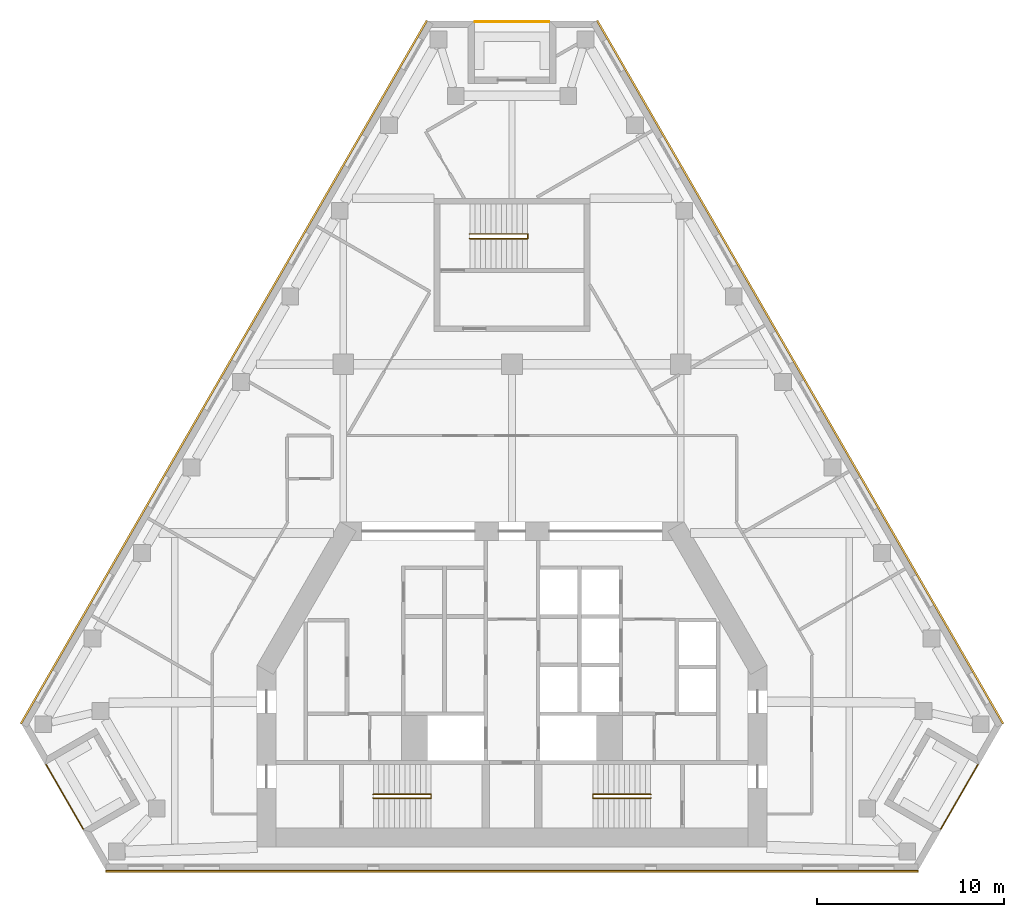
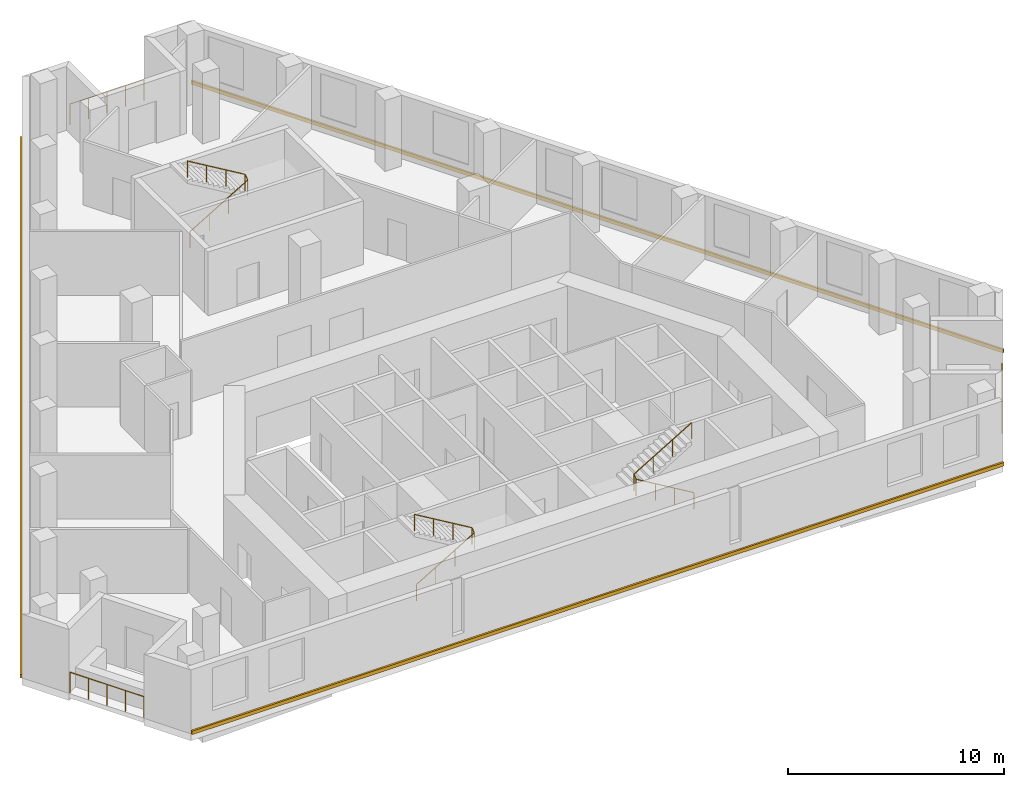
# One storey, part 7 of 7: 6 railings, 3 coverings.
"""IFC4 building model written with IfcOpenShell, lengths in metres."""

from ifc_helpers import new_model, si_unit, direction, frame, origin, origin_2d, place, context, subcontext, project, spatial, polyline, circle, outline, extrude, material, type_object, element, save


model = new_model("IFC4")

# Units and contexts
model_context = context("Model", 3, precision=1e-05, world=origin(), true_north=direction((0.0, 1.0)))
body_context = subcontext(model_context, "Body", "Model", "MODEL_VIEW")
ifc_project = project(units=[si_unit("LENGTHUNIT", "METRE"), si_unit("AREAUNIT", "SQUARE_METRE"), si_unit("VOLUMEUNIT", "CUBIC_METRE"), si_unit("PLANEANGLEUNIT", "RADIAN"), si_unit("MASSUNIT", "GRAM", prefix="KILO")], contexts=[model_context])

# Site, building, storey
site_placement = place(None, origin())
site = spatial("IfcSite", under=ifc_project, at=site_placement, CompositionType="ELEMENT")
building_placement = place(site_placement, origin())
building = spatial("IfcBuilding", under=site, at=building_placement, Name="Fogline Exchange Tower", CompositionType="ELEMENT")
storey_placement = place(building_placement, frame((0.0, 0.0, 247.5)))
storey = spatial("IfcBuildingStorey", under=building, at=storey_placement, Name="L56", CompositionType="ELEMENT", Elevation=247.5)

# Railings
ifc_material_1 = material(Name="Stainless steel 304", Category="steel")
railing_type_1 = type_object("IfcRailingType", Name="G1", PredefinedType="GUARDRAIL", material=ifc_material_1)
railing_1_placement = place(storey_placement, frame((-24.865478515625, 5.635986328125, 0.0)))
element("IfcRailing", 1, at=railing_1_placement, inside=storey, type_object=railing_type_1, Name="Balcony guard L56 SW", PredefinedType="GUARDRAIL", context=body_context, shape_type="SweptSolid", body=[
    extrude(circle(Radius=0.02392578125, at=origin_2d()), frame((0.0, 0.0, 1.17578125), z_axis=(0.499953838557, -0.866052053466, 0.0), x_axis=(0.866052053466, 0.499953838557, 0.0)), (0.0, 0.0, 1.0), 3.957763671875),
    extrude(circle(Radius=0.02099609375, at=origin_2d()), origin(), (0.0, 0.0, 1.0), 1.15185546875),
    extrude(circle(Radius=0.02099609375, at=origin_2d()), frame((0.49462890625, -0.85693359375, 0.0)), (0.0, 0.0, 1.0), 1.15185546875),
    extrude(circle(Radius=0.02099609375, at=origin_2d()), frame((0.9892578125, -1.7138671875, 0.0)), (0.0, 0.0, 1.0), 1.15185546875),
    extrude(circle(Radius=0.02099609375, at=origin_2d()), frame((1.484130859375, -2.57080078125, 0.0)), (0.0, 0.0, 1.0), 1.15185546875),
    extrude(circle(Radius=0.02099609375, at=origin_2d()), frame((1.978759765625, -3.427734375, 0.0)), (0.0, 0.0, 1.0), 1.15185546875),
])
railing_2_placement = place(storey_placement, frame((22.88671875, 2.208251953125, 0.0)))
element("IfcRailing", 2, at=railing_2_placement, inside=storey, type_object=railing_type_1, Name="Balcony guard L56 SE", PredefinedType="GUARDRAIL", context=body_context, shape_type="SweptSolid", body=[
    extrude(circle(Radius=0.02392578125, at=origin_2d()), frame((0.0, 0.0, 1.17578125), z_axis=(0.499953838557, 0.866052053466, 0.0), x_axis=(-0.866052053466, 0.499953838557, 0.0)), (0.0, 0.0, 1.0), 3.957763671875),
    extrude(circle(Radius=0.02099609375, at=origin_2d()), origin(), (0.0, 0.0, 1.0), 1.15185546875),
    extrude(circle(Radius=0.02099609375, at=origin_2d()), frame((0.49462890625, 0.85693359375, 0.0)), (0.0, 0.0, 1.0), 1.15185546875),
    extrude(circle(Radius=0.02099609375, at=origin_2d()), frame((0.9892578125, 1.7138671875, 0.0)), (0.0, 0.0, 1.0), 1.15185546875),
    extrude(circle(Radius=0.02099609375, at=origin_2d()), frame((1.484130859375, 2.57080078125, 0.0)), (0.0, 0.0, 1.0), 1.15185546875),
    extrude(circle(Radius=0.02099609375, at=origin_2d()), frame((1.978759765625, 3.427734375, 0.0)), (0.0, 0.0, 1.0), 1.15185546875),
])
railing_3_placement = place(storey_placement, frame((1.97900390625, 45.276611328125, 0.0)))
element("IfcRailing", 3, at=railing_3_placement, inside=storey, type_object=railing_type_1, Name="Balcony guard L56 N", PredefinedType="GUARDRAIL", context=body_context, shape_type="SweptSolid", body=[
    extrude(circle(Radius=0.02392578125, at=origin_2d()), frame((0.0, 0.0, 1.17578125), z_axis=(-1.0, 0.0, 0.0), x_axis=(0.0, -1.0, 0.0)), (0.0, 0.0, 1.0), 3.9580078125),
    extrude(circle(Radius=0.02099609375, at=origin_2d()), origin(), (0.0, 0.0, 1.0), 1.15185546875),
    extrude(circle(Radius=0.02099609375, at=origin_2d()), frame((-0.989501953125, 0.0, 0.0)), (0.0, 0.0, 1.0), 1.15185546875),
    extrude(circle(Radius=0.02099609375, at=origin_2d()), frame((-1.97900390625, 0.0, 0.0)), (0.0, 0.0, 1.0), 1.15185546875),
    extrude(circle(Radius=0.02099609375, at=origin_2d()), frame((-2.968505859375, 0.0, 0.0)), (0.0, 0.0, 1.0), 1.15185546875),
    extrude(circle(Radius=0.02099609375, at=origin_2d()), frame((-3.9580078125, 0.0, 0.0)), (0.0, 0.0, 1.0), 1.15185546875),
])
ifc_material_2 = material(Name="Steel Q235B", Category="steel")
railing_type_2 = type_object("IfcRailingType", Name="RL-HR", PredefinedType="HANDRAIL", material=ifc_material_2)
railing_4_placement = place(storey_placement, frame((-7.39990234375, 3.85009765625, 0.166748046875)))
element("IfcRailing", 4, at=railing_4_placement, inside=storey, type_object=railing_type_2, Name="Handrail ST1", PredefinedType="HANDRAIL", context=body_context, shape_type="SweptSolid", body=[
    extrude(circle(Radius=0.02392578125, at=origin_2d()), frame((0.0, 0.0, 0.92578125), z_axis=(0.859290745958, 0.0, 0.51148745235), x_axis=(0.0, 1.0, 0.0)), (0.0, 0.0, 1.0), 3.584228515625),
    extrude(circle(Radius=0.02392578125, at=origin_2d()), frame((3.079833984375, 0.0, 2.75927734375), z_axis=(0.0, 0.767990643491, 0.640461061666), x_axis=(-1.0, 0.0, 0.0)), (0.0, 0.0, 1.0), 0.26025390625),
    extrude(circle(Radius=0.02392578125, at=origin_2d()), frame((3.079833984375, 0.199951171875, 2.92578125), z_axis=(-0.859290745958, 0.0, 0.51148745235), x_axis=(0.0, -1.0, 0.0)), (0.0, 0.0, 1.0), 3.584228515625),
    extrude(circle(Radius=0.02099609375, at=origin_2d()), origin(), (0.0, 0.0, 1.0), 0.90185546875),
    extrude(circle(Radius=0.02099609375, at=origin_2d()), frame((1.026611328125, 0.0, 0.611083984375)), (0.0, 0.0, 1.0), 0.90185546875),
    extrude(circle(Radius=0.02099609375, at=origin_2d()), frame((2.05322265625, 0.0, 1.22216796875)), (0.0, 0.0, 1.0), 0.90185546875),
    extrude(circle(Radius=0.02099609375, at=origin_2d()), frame((3.079833984375, 0.0, 1.833251953125)), (0.0, 0.0, 1.0), 0.90185546875),
    extrude(circle(Radius=0.02099609375, at=origin_2d()), frame((3.079833984375, 0.199951171875, 2.0)), (0.0, 0.0, 1.0), 0.90185546875),
    extrude(circle(Radius=0.02099609375, at=origin_2d()), frame((2.05322265625, 0.199951171875, 2.611083984375)), (0.0, 0.0, 1.0), 0.90185546875),
    extrude(circle(Radius=0.02099609375, at=origin_2d()), frame((1.026611328125, 0.199951171875, 3.22216796875)), (0.0, 0.0, 1.0), 0.90185546875),
    extrude(circle(Radius=0.02099609375, at=origin_2d()), frame((0.0, 0.199951171875, 3.833251953125)), (0.0, 0.0, 1.0), 0.90185546875),
])
railing_5_placement = place(storey_placement, frame((7.39990234375, 3.85009765625, 0.166748046875)))
element("IfcRailing", 5, at=railing_5_placement, inside=storey, type_object=railing_type_2, Name="Handrail ST2", PredefinedType="HANDRAIL", context=body_context, shape_type="SweptSolid", body=[
    extrude(circle(Radius=0.02392578125, at=origin_2d()), frame((0.0, 0.0, 0.92578125), z_axis=(-0.859290745958, 0.0, 0.51148745235), x_axis=(0.0, -1.0, 0.0)), (0.0, 0.0, 1.0), 3.584228515625),
    extrude(circle(Radius=0.02392578125, at=origin_2d()), frame((-3.079833984375, 0.0, 2.75927734375), z_axis=(0.0, 0.767990643491, 0.640461061666), x_axis=(-1.0, 0.0, 0.0)), (0.0, 0.0, 1.0), 0.26025390625),
    extrude(circle(Radius=0.02392578125, at=origin_2d()), frame((-3.079833984375, 0.199951171875, 2.92578125), z_axis=(0.859290745958, 0.0, 0.51148745235), x_axis=(0.0, 1.0, 0.0)), (0.0, 0.0, 1.0), 3.584228515625),
    extrude(circle(Radius=0.02099609375, at=origin_2d()), origin(), (0.0, 0.0, 1.0), 0.90185546875),
    extrude(circle(Radius=0.02099609375, at=origin_2d()), frame((-1.026611328125, 0.0, 0.611083984375)), (0.0, 0.0, 1.0), 0.90185546875),
    extrude(circle(Radius=0.02099609375, at=origin_2d()), frame((-2.05322265625, 0.0, 1.22216796875)), (0.0, 0.0, 1.0), 0.90185546875),
    extrude(circle(Radius=0.02099609375, at=origin_2d()), frame((-3.079833984375, 0.0, 1.833251953125)), (0.0, 0.0, 1.0), 0.90185546875),
    extrude(circle(Radius=0.02099609375, at=origin_2d()), frame((-3.079833984375, 0.199951171875, 2.0)), (0.0, 0.0, 1.0), 0.90185546875),
    extrude(circle(Radius=0.02099609375, at=origin_2d()), frame((-2.05322265625, 0.199951171875, 2.611083984375)), (0.0, 0.0, 1.0), 0.90185546875),
    extrude(circle(Radius=0.02099609375, at=origin_2d()), frame((-1.026611328125, 0.199951171875, 3.22216796875)), (0.0, 0.0, 1.0), 0.90185546875),
    extrude(circle(Radius=0.02099609375, at=origin_2d()), frame((0.0, 0.199951171875, 3.833251953125)), (0.0, 0.0, 1.0), 0.90185546875),
])
railing_6_placement = place(storey_placement, frame((-2.25, 33.70703125, 0.166748046875)))
element("IfcRailing", 6, at=railing_6_placement, inside=storey, type_object=railing_type_2, Name="Handrail ST3", PredefinedType="HANDRAIL", context=body_context, shape_type="SweptSolid", body=[
    extrude(circle(Radius=0.02392578125, at=origin_2d()), frame((0.0, 0.0, 0.92578125), z_axis=(0.859308565015, 0.0, 0.511457515432), x_axis=(0.0, 1.0, 0.0)), (0.0, 0.0, 1.0), 3.58447265625),
    extrude(circle(Radius=0.02392578125, at=origin_2d()), frame((3.080078125, 0.0, 2.75927734375), z_axis=(0.0, 0.831925284441, 0.554887665306), x_axis=(-1.0, 0.0, 0.0)), (0.0, 0.0, 1.0), 0.300537109375),
    extrude(circle(Radius=0.02392578125, at=origin_2d()), frame((3.080078125, 0.25, 2.92578125), z_axis=(-0.859308565015, 0.0, 0.511457515432), x_axis=(0.0, -1.0, 0.0)), (0.0, 0.0, 1.0), 3.58447265625),
    extrude(circle(Radius=0.02099609375, at=origin_2d()), origin(), (0.0, 0.0, 1.0), 0.90185546875),
    extrude(circle(Radius=0.02099609375, at=origin_2d()), frame((1.026611328125, 0.0, 0.611083984375)), (0.0, 0.0, 1.0), 0.90185546875),
    extrude(circle(Radius=0.02099609375, at=origin_2d()), frame((2.053466796875, 0.0, 1.22216796875)), (0.0, 0.0, 1.0), 0.90185546875),
    extrude(circle(Radius=0.02099609375, at=origin_2d()), frame((3.080078125, 0.0, 1.833251953125)), (0.0, 0.0, 1.0), 0.90185546875),
    extrude(circle(Radius=0.02099609375, at=origin_2d()), frame((3.080078125, 0.25, 2.0)), (0.0, 0.0, 1.0), 0.90185546875),
    extrude(circle(Radius=0.02099609375, at=origin_2d()), frame((2.053466796875, 0.25, 2.611083984375)), (0.0, 0.0, 1.0), 0.90185546875),
    extrude(circle(Radius=0.02099609375, at=origin_2d()), frame((1.026611328125, 0.25, 3.22216796875)), (0.0, 0.0, 1.0), 0.90185546875),
    extrude(circle(Radius=0.02099609375, at=origin_2d()), frame((0.0, 0.25, 3.833251953125)), (0.0, 0.0, 1.0), 0.90185546875),
])

# Coverings
ifc_material_3 = material(Name="Brick masonry", Category="masonry")
covering_type = type_object("IfcCoveringType", Name="SB1", PredefinedType="CLADDING", material=ifc_material_3)
covering_1_placement = place(storey_placement, origin())
element("IfcCovering", 7, at=covering_1_placement, inside=storey, type_object=covering_type, Name="Stringcourse band L56 S", PredefinedType="CLADDING", context=body_context, shape_type="SweptSolid", body=[
    extrude(outline(polyline([(-21.66943359375, 0.0), (-21.66943359375, -0.10009765625), (21.66943359375, -0.10009765625), (21.66943359375, 0.0), (-21.66943359375, 0.0)])), origin(), (0.0, 0.0, 1.0), 0.199951171875),
])
covering_2_placement = place(storey_placement, origin())
element("IfcCovering", 8, at=covering_2_placement, inside=storey, type_object=covering_type, Name="Stringcourse band L56 E", PredefinedType="CLADDING", context=body_context, shape_type="SweptSolid", body=[
    extrude(outline(polyline([(26.16943359375, 7.794189453125), (26.256103515625, 7.84423828125), (4.586669921875, 45.376708984375), (4.5, 45.32666015625), (26.16943359375, 7.794189453125)])), origin(), (0.0, 0.0, 1.0), 0.199951171875),
])
covering_3_placement = place(storey_placement, origin())
element("IfcCovering", 9, at=covering_3_placement, inside=storey, type_object=covering_type, Name="Stringcourse band L56 W", PredefinedType="CLADDING", context=body_context, shape_type="SweptSolid", body=[
    extrude(outline(polyline([(-4.5, 45.32666015625), (-4.586669921875, 45.376708984375), (-26.256103515625, 7.84423828125), (-26.16943359375, 7.794189453125), (-4.5, 45.32666015625)])), origin(), (0.0, 0.0, 1.0), 0.199951171875),
])

save(model, "model.ifc")
